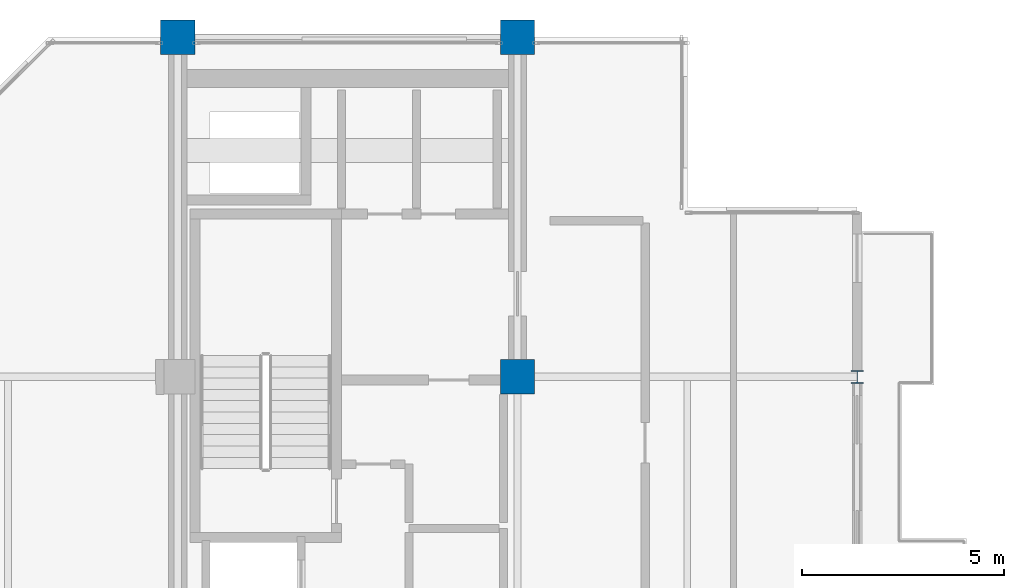
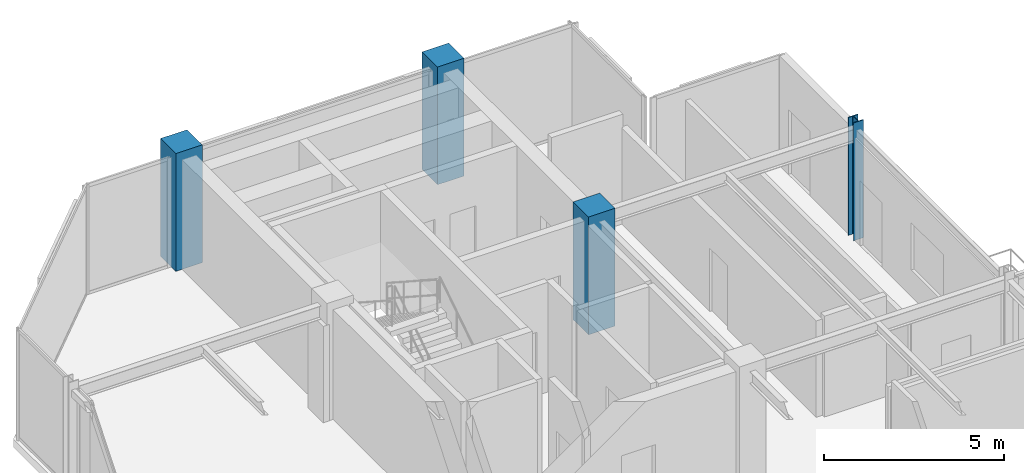
# One storey, part 2 of 24: 4 columns.
"""IFC4 building model written with IfcOpenShell, lengths in metres."""

from ifc_helpers import new_model, si_unit, direction, frame, origin, origin_2d, place, context, subcontext, project, spatial, rectangle, i_section, extrude, material, material_profile, profile_set, type_object, element, save


model = new_model("IFC4")

# Units and contexts
model_context = context("Model", 3, precision=1e-05, world=origin(), true_north=direction((0.0, 1.0)))
body_context = subcontext(model_context, "Body", "Model", "MODEL_VIEW")
ifc_project = project(units=[si_unit("LENGTHUNIT", "METRE"), si_unit("AREAUNIT", "SQUARE_METRE"), si_unit("VOLUMEUNIT", "CUBIC_METRE"), si_unit("PLANEANGLEUNIT", "RADIAN"), si_unit("MASSUNIT", "GRAM", prefix="KILO")], contexts=[model_context])

# Site, building, storey
site_placement = place(None, origin())
site = spatial("IfcSite", under=ifc_project, at=site_placement, CompositionType="ELEMENT")
building_placement = place(site_placement, origin())
building = spatial("IfcBuilding", under=site, at=building_placement, Name="Nerrivon Quay Data Exchange", CompositionType="ELEMENT")
storey_placement = place(building_placement, frame((0.0, 0.0, 294.199951171875)))
storey = spatial("IfcBuildingStorey", under=building, at=storey_placement, Name="L70", CompositionType="ELEMENT", Elevation=294.199951171875)

# Columns
ifc_material_1 = material(Name="Concrete N50 (50 MPa)", Category="concrete")
ifc_material_profile_1 = material_profile(ifc_material_1, rectangle(XDim=0.85009765625, YDim=0.85009765625, at=origin_2d()), Name="RC-COL-850x850")
ifc_profile_set_1 = profile_set([ifc_material_profile_1], Name="Concrete N50 (50 MPa)")
column_type_1 = type_object("IfcColumnType", Name="COL-C5-850", PredefinedType="COLUMN", material=ifc_profile_set_1)
for number, where, z_axis, x_axis, name in (
    (1, (8.39990234375, 42.0, 0.0), (0.0, 0.0, 1.0), (1.0, 0.0, 0.0), "L70 Column (8.4,42.0)"),
    (2, (16.800048828125, 33.60009765625, 0.0), (0.0, 0.0, 1.0), (1.0, 0.0, 0.0), "L70 Column (16.8,33.6)"),
    (3, (16.800048828125, 42.0, 0.0), (0.0, 0.0, 1.0), (1.0, 0.0, 0.0), "L70 Column (16.8,42.0)"),
):
    element("IfcColumn", number, at=place(storey_placement, frame(where, z_axis=z_axis, x_axis=x_axis)), inside=storey, type_object=column_type_1, Name=name, PredefinedType="COLUMN", context=body_context, shape_type="SweptSolid", body=[
        extrude(rectangle(XDim=0.85009765625, YDim=0.85009765625, at=origin_2d()), origin(), (0.0, 0.0, 1.0), 4.0),
    ])
ifc_material_2 = material(Name="Steel Grade 350", Category="steel")
ifc_material_profile_2 = material_profile(ifc_material_2, i_section(OverallWidth=0.31103515625, OverallDepth=0.326904296875, WebThickness=0.015625, FlangeThickness=0.02490234375, FilletRadius=0.0166015625, at=origin_2d()), Name="310UC158")
ifc_profile_set_2 = profile_set([ifc_material_profile_2], Name="Steel Grade 350")
column_type_2 = type_object("IfcColumnType", Name="COL-SC4-310UC158", PredefinedType="COLUMN", material=ifc_profile_set_2)
column_placement = place(storey_placement, frame((25.199951171875, 33.60009765625, 0.0), z_axis=(0.0, 0.0, 1.0), x_axis=(1.0, 0.0, 0.0)))
element("IfcColumn", 4, at=column_placement, inside=storey, type_object=column_type_2, Name="L70 Column (25.2,33.6)", PredefinedType="COLUMN", context=body_context, shape_type="SweptSolid", body=[
    extrude(i_section(OverallWidth=0.31103515625, OverallDepth=0.326904296875, WebThickness=0.015625, FlangeThickness=0.02490234375, FilletRadius=0.0166015625, at=origin_2d()), origin(), (0.0, 0.0, 1.0), 4.0),
])

save(model, "model.ifc")
